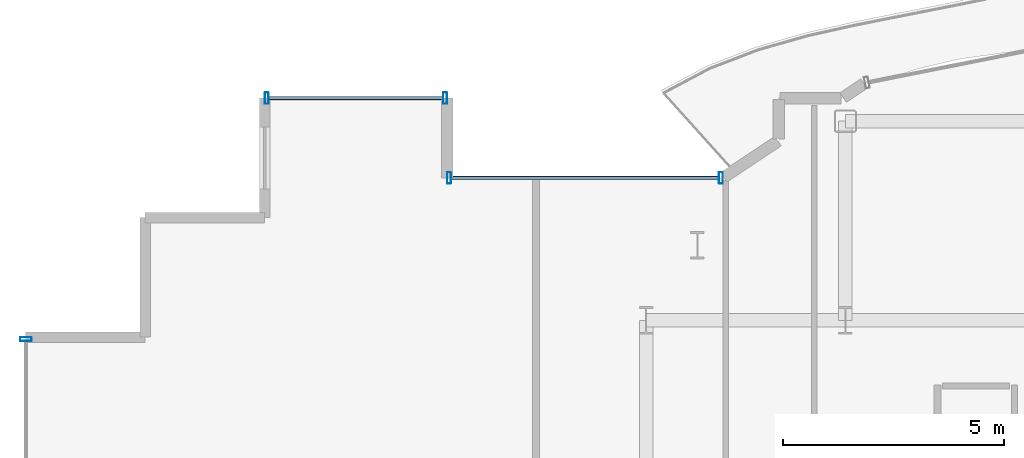
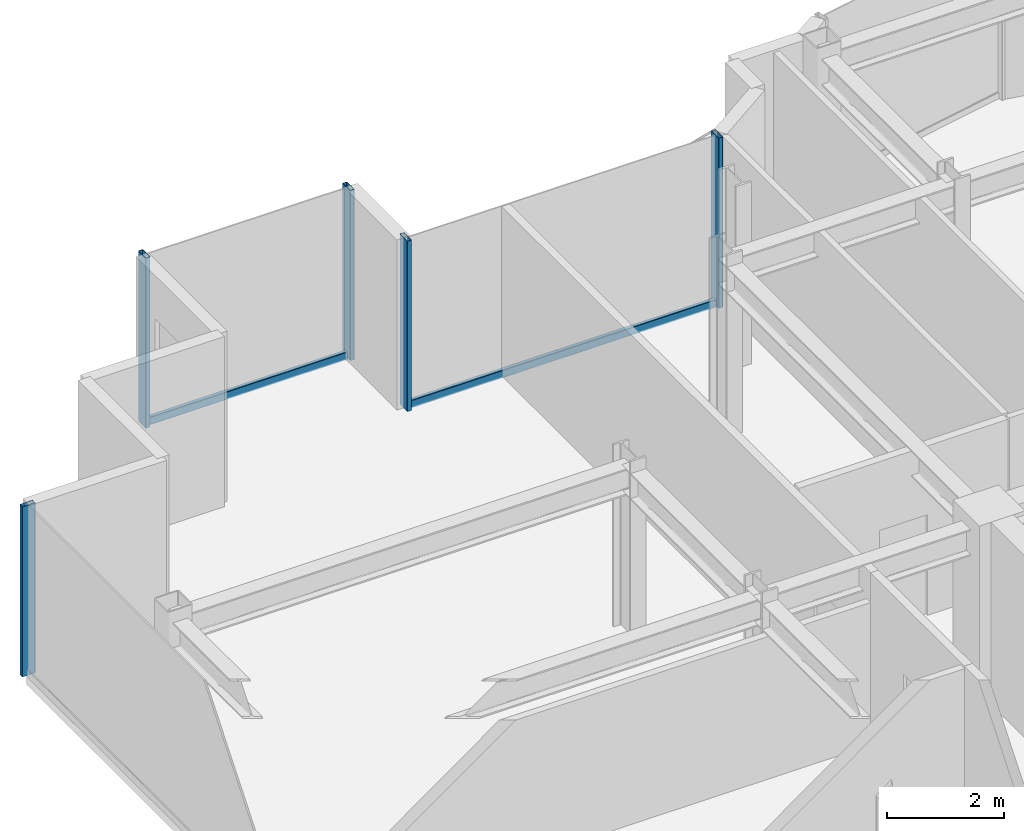
# One storey, part 9 of 18: 7 members, 3 elements without a shape of their own.
"""IFC4 building model written with IfcOpenShell, lengths in metres."""

import ifcopenshell
import ifcopenshell.guid

model = None  # the IFC model being written
_history = None  # IfcOwnerHistory: only IFC2X3 demands one
_inside = {}  # id of a spatial element -> (the spatial element, [elements in it])
_under = {}  # id of a project, library or spatial element -> (it, [spatial elements below it])
_declared = {}  # id of a project -> (the project, [libraries it declares])
_typed = {}  # id of a type object -> (the type object, [elements of that type])
_made_of = {}  # id of a material, layer set ... -> (it, [elements and type objects made of it])


def new_model(schema):
    """Start an empty IFC model of exactly this schema.

    Asked for "IFC4X3", IfcOpenShell would pick the latest addendum, in which some entities
    have other attributes; the version numbers below select the first issue.
    IFC2X3 requires an IfcOwnerHistory on every rooted entity: one is made here for all.
    """
    global model, _history
    if schema == "IFC4X3":
        model = ifcopenshell.file(schema_version=(4, 3, 0, 0))
    else:
        model = ifcopenshell.file(schema=schema)
    _inside.clear()
    _under.clear()
    _declared.clear()
    _typed.clear()
    _made_of.clear()
    _history = None
    if model.schema == "IFC2X3":
        org = make("IfcOrganization", Name="unknown")
        user = make(
            "IfcPersonAndOrganization",
            ThePerson=make("IfcPerson", FamilyName="unknown"),
            TheOrganization=org,
        )
        app = make(
            "IfcApplication",
            ApplicationDeveloper=org,
            Version="unknown",
            ApplicationFullName="unknown",
            ApplicationIdentifier="unknown",
        )
        _history = make(
            "IfcOwnerHistory",
            OwningUser=user,
            OwningApplication=app,
            ChangeAction="ADDED",
            CreationDate=0,
        )
    return model


def make(cls, **values):
    """One entity of the class cls with the attributes given. An attribute that is None is left unset."""
    return model.create_entity(
        cls, **{name: value for name, value in values.items() if value is not None}
    )


def rooted(cls, **values):
    """An entity with a GlobalId (a new one), such as an element, a storey or a relation."""
    return make(cls, GlobalId=ifcopenshell.guid.new(), OwnerHistory=_history, **values)


def si_unit(unit_type, name, prefix=None):
    """IfcSIUnit, for example si_unit("LENGTHUNIT", "METRE", prefix="MILLI")."""
    return make("IfcSIUnit", UnitType=unit_type, Prefix=prefix, Name=name)


def assignment(units):
    """IfcUnitAssignment: the units of a project."""
    return None if units is None else make("IfcUnitAssignment", Units=units)


def point(xyz):
    """IfcCartesianPoint."""
    return None if xyz is None else make("IfcCartesianPoint", Coordinates=xyz)


def direction(xyz):
    """IfcDirection."""
    return None if xyz is None else make("IfcDirection", DirectionRatios=xyz)


def frame(location, z_axis=None, x_axis=None):
    """IfcAxis2Placement3D, a coordinate frame: its origin and axes. An axis left out is left unset."""
    return make(
        "IfcAxis2Placement3D",
        Location=point(location),
        Axis=direction(z_axis),
        RefDirection=direction(x_axis),
    )


def frame_2d(location, x_axis=None):
    """IfcAxis2Placement2D, a coordinate frame in the plane: its origin and x axis."""
    return make(
        "IfcAxis2Placement2D", Location=point(location), RefDirection=direction(x_axis)
    )


def origin():
    """The frame at (0, 0, 0) with its axes left unset."""
    return frame((0.0, 0.0, 0.0))


def origin_2d():
    """The frame at (0, 0) in the plane with its x axis left unset."""
    return frame_2d((0.0, 0.0))


def place(relative_to, where):
    """IfcLocalPlacement: puts the frame where relative to a parent placement (None: the world)."""
    return make(
        "IfcLocalPlacement", PlacementRelTo=relative_to, RelativePlacement=where
    )


def context(
    kind, dimensions, precision=None, world=None, true_north=None, identifier=None
):
    """IfcGeometricRepresentationContext, for example the 3D "Model" context."""
    return make(
        "IfcGeometricRepresentationContext",
        ContextIdentifier=identifier,
        ContextType=kind,
        CoordinateSpaceDimension=dimensions,
        Precision=precision,
        WorldCoordinateSystem=world,
        TrueNorth=true_north,
    )


def subcontext(parent, identifier, kind, view, scale=None):
    """IfcGeometricRepresentationSubContext, for example "Body" below "Model"."""
    return make(
        "IfcGeometricRepresentationSubContext",
        ContextIdentifier=identifier,
        ContextType=kind,
        ParentContext=parent,
        TargetScale=scale,
        TargetView=view,
    )


def project(units=None, contexts=None):
    """IfcProject with its units and contexts."""
    return rooted(
        "IfcProject",
        Name="project",
        RepresentationContexts=contexts,
        UnitsInContext=assignment(units),
    )


def spatial(cls, under=None, at=None, **own):
    """A site, building, storey or space (cls), placed at a placement, below another one or the project."""
    s = rooted(cls, ObjectPlacement=at, **own)
    if under is not None:
        _under.setdefault(under.id(), (under, []))[1].append(s)
    return s


def profile(cls, at=None, kind="AREA", **sizes):
    """A parametric profile (cls). Its sizes go by their IFC names, for example OverallWidth=200.0."""
    return make(cls, ProfileType=kind, Position=at, **sizes)


def hollow_rectangle(**sizes):
    """IfcRectangleHollowProfileDef."""
    return profile("IfcRectangleHollowProfileDef", **sizes)


def extrude(swept, where, along, depth):
    """IfcExtrudedAreaSolid: the profile swept, set in the frame where, extruded along a direction by depth."""
    return make(
        "IfcExtrudedAreaSolid",
        SweptArea=swept,
        Position=where,
        ExtrudedDirection=direction(along),
        Depth=depth,
    )


def shape(context_of_items, identifier, shape_type, items):
    """IfcShapeRepresentation: the items that make up one representation, for example the "Body"."""
    return make(
        "IfcShapeRepresentation",
        ContextOfItems=context_of_items,
        RepresentationIdentifier=identifier,
        RepresentationType=shape_type,
        Items=items,
    )


def source(mapping_origin, context_of_items, identifier, shape_type, items):
    """IfcRepresentationMap: a shape defined once, which mapped items show again and again."""
    return make(
        "IfcRepresentationMap",
        MappingOrigin=mapping_origin,
        MappedRepresentation=shape(context_of_items, identifier, shape_type, items),
    )


def transform(
    local_origin,
    x_axis=None,
    y_axis=None,
    z_axis=None,
    scale=None,
    scale2=None,
    scale3=None,
    uniform=True,
):
    """IfcCartesianTransformationOperator3D, or its non-uniform kind. x_axis, y_axis, z_axis: its Axis1, 2, 3."""
    if uniform:
        return make(
            "IfcCartesianTransformationOperator3D",
            Axis1=direction(x_axis),
            Axis2=direction(y_axis),
            LocalOrigin=point(local_origin),
            Scale=scale,
            Axis3=direction(z_axis),
        )
    return make(
        "IfcCartesianTransformationOperator3DnonUniform",
        Axis1=direction(x_axis),
        Axis2=direction(y_axis),
        LocalOrigin=point(local_origin),
        Scale=scale,
        Axis3=direction(z_axis),
        Scale2=scale2,
        Scale3=scale3,
    )


def mapped(mapping_source, mapping_target):
    """IfcMappedItem: shows the shape of a source again, moved by a transform."""
    return make(
        "IfcMappedItem", MappingSource=mapping_source, MappingTarget=mapping_target
    )


def material(Name=None, Category=None):
    """IfcMaterial."""
    return make("IfcMaterial", Name=Name, Category=Category)


def layer(
    of_material, thickness, ventilated=None, Name=None, Category=None, Priority=None
):
    """IfcMaterialLayer: one layer of a wall or slab, of a material (None: an air gap)."""
    return make(
        "IfcMaterialLayer",
        Material=of_material,
        LayerThickness=thickness,
        IsVentilated=ventilated,
        Name=Name,
        Category=Category,
        Priority=Priority,
    )


def layer_set(layers, Name=None):
    """IfcMaterialLayerSet."""
    return make("IfcMaterialLayerSet", MaterialLayers=layers, LayerSetName=Name)


def material_profile(
    of_material, cross_section, Name=None, Category=None, Priority=None
):
    """IfcMaterialProfile: a cross section and its material."""
    return make(
        "IfcMaterialProfile",
        Name=Name,
        Material=of_material,
        Profile=cross_section,
        Priority=Priority,
        Category=Category,
    )


def profile_set(profiles, Name=None, composite=None):
    """IfcMaterialProfileSet."""
    return make(
        "IfcMaterialProfileSet",
        Name=Name,
        MaterialProfiles=profiles,
        CompositeProfile=composite,
    )


def made_of(thing, what):
    """Note that an element or type object is made of a material, layer set ...; save() writes the relation."""
    if what is not None:
        _made_of.setdefault(what.id(), (what, []))[1].append(thing)
    return thing


def type_object(cls, material=None, **own):
    """A type object (cls), such as IfcWallType, which elements share."""
    return made_of(rooted(cls, **own), material)


def element(
    cls,
    number,
    at=None,
    inside=None,
    cuts=None,
    type_object=None,
    material=None,
    context=None,
    identifier="Body",
    shape_type=None,
    held_by="IfcProductDefinitionShape",
    body=None,
    shapes=None,
    **own,
):
    """One element of the class cls, such as IfcWall. Its Tag is "e" and its number.

    at: its placement. inside: the storey or other place that contains it. cuts: it is an
    opening in that element (IfcRelVoidsElement). A single representation is given by context,
    identifier, shape_type and body (its items); several are given by shapes. held_by: the class
    of the entity that holds the representations. save() writes the other relations.
    """
    e = rooted(cls, Tag="e%d" % number, ObjectPlacement=at, **own)
    if body is not None:
        shapes = [shape(context, identifier, shape_type, body)]
    if shapes is not None:
        e.Representation = make(held_by, Representations=shapes)
    if inside is not None:
        _inside.setdefault(inside.id(), (inside, []))[1].append(e)
    if cuts is not None:
        rooted(
            "IfcRelVoidsElement", RelatingBuildingElement=cuts, RelatedOpeningElement=e
        )
    if type_object is not None:
        _typed.setdefault(type_object.id(), (type_object, []))[1].append(e)
    return made_of(e, material)


def aggregate(whole, parts):
    """IfcRelAggregates: a whole, such as a stair, and the parts it consists of."""
    return rooted("IfcRelAggregates", RelatingObject=whole, RelatedObjects=parts)


def save(model, path):
    """Write the relations noted so far, then the file.

    IfcRelAggregates (storeys below a building ...), IfcRelContainedInSpatialStructure (elements
    in a storey), IfcRelDefinesByType, IfcRelAssociatesMaterial and IfcRelDeclares: one each for
    every whole, place, type object, material and project.
    """
    for whole, parts in _under.values():
        aggregate(whole, parts)
    for where, things in _inside.values():
        rooted(
            "IfcRelContainedInSpatialStructure",
            RelatedElements=things,
            RelatingStructure=where,
        )
    for kind, things in _typed.values():
        rooted("IfcRelDefinesByType", RelatedObjects=things, RelatingType=kind)
    for what, things in _made_of.values():
        rooted("IfcRelAssociatesMaterial", RelatedObjects=things, RelatingMaterial=what)
    for by, libraries in _declared.values():
        rooted("IfcRelDeclares", RelatingContext=by, RelatedDefinitions=libraries)
    model.write(path)


model = new_model("IFC4")

# Units and contexts
model_context = context("Model", 3, precision=1e-05, world=origin(), true_north=direction((0.0, 1.0)))
body_context = subcontext(model_context, "Body", "Model", "MODEL_VIEW")
ifc_project = project(units=[si_unit("LENGTHUNIT", "METRE"), si_unit("AREAUNIT", "SQUARE_METRE"), si_unit("VOLUMEUNIT", "CUBIC_METRE"), si_unit("PLANEANGLEUNIT", "RADIAN"), si_unit("MASSUNIT", "GRAM", prefix="KILO")], contexts=[model_context])

# Site, building, storey
site_placement = place(None, origin())
site = spatial("IfcSite", under=ifc_project, at=site_placement, CompositionType="ELEMENT")
building_placement = place(site_placement, origin())
building = spatial("IfcBuilding", under=site, at=building_placement, Name="Nefas-Gora Pilgrimage Tower", CompositionType="ELEMENT")
storey_placement = place(building_placement, frame((0.0, 0.0, 302.60009765625)))
storey = spatial("IfcBuildingStorey", under=building, at=storey_placement, Name="L76", CompositionType="ELEMENT", Elevation=302.60009765625)

# Curtain wall, members
ifc_material_1 = material(Name="Dark ceramic-fritted solar-control aluminium-glass curtain wall", Category="aluminium")
ifc_layer_1 = layer(ifc_material_1, 0.219970703125)
ifc_layer_set_1 = layer_set([ifc_layer_1], Name="Dark ceramic-fritted solar-control aluminium-glass curtain wall")
curtain_wall_type_1 = type_object("IfcCurtainWallType", Name="CW-SYS-5", PredefinedType="NOTDEFINED", material=ifc_layer_set_1)
curtain_wall_1_placement = place(storey_placement, origin())
curtain_wall_1 = element("IfcCurtainWall", 1, at=curtain_wall_1_placement, inside=storey, type_object=curtain_wall_type_1, Name="L76 Unitised Curtain Wall CW5", PredefinedType="NOTDEFINED")
ifc_material_2 = material(Name="Anodised architectural aluminium", Category="aluminium")
ifc_material_profile_1 = material_profile(ifc_material_2, hollow_rectangle(XDim=0.080078125, YDim=0.159912109375, WallThickness=0.00439453125, InnerFilletRadius=0.00439453125, OuterFilletRadius=0.009033203125, at=origin_2d()), Name="ALU TRANSOM 80x160")
ifc_profile_set_1 = profile_set([ifc_material_profile_1], Name="Anodised architectural aluminium")
member_type_1 = type_object("IfcMemberType", Name="CWM-TRN-5", PredefinedType="USERDEFINED", material=ifc_profile_set_1)
shared_shape_1 = source(origin(), body_context, "Body", "SweptSolid", [
    extrude(hollow_rectangle(XDim=0.080078125, YDim=0.159912109375, WallThickness=0.00439453125, InnerFilletRadius=0.00439453125, OuterFilletRadius=0.009033203125, at=origin_2d()), origin(), (0.0, 0.0, 1.0), 6.052001953125),
])
member_1_placement = place(storey_placement, frame((-9.60791015625, 21.219970703125, 0.0498046875), z_axis=(-1.0, 0.0, 0.0), x_axis=(0.0, -1.0, 0.0)))
member_1 = element("IfcMember", 2, at=member_1_placement, type_object=member_type_1, Name="CW5 Spandrel Transom", ObjectType="TRANSOM", PredefinedType="USERDEFINED", context=body_context, shape_type="MappedRepresentation", body=[
    mapped(shared_shape_1, transform((0.0, 0.0, 0.0), x_axis=(1.0, 0.0, 0.0), y_axis=(0.0, 1.0, 0.0), z_axis=(0.0, 0.0, 1.0), scale=1.0)),
])
ifc_material_profile_2 = material_profile(ifc_material_2, hollow_rectangle(XDim=0.090087890625, YDim=0.260009765625, WallThickness=0.006103515625, InnerFilletRadius=0.006103515625, OuterFilletRadius=0.011962890625, at=origin_2d()), Name="ALU MULLION 90x260")
ifc_profile_set_2 = profile_set([ifc_material_profile_2], Name="Anodised architectural aluminium")
member_type_2 = type_object("IfcMemberType", Name="CWM-MUL-5", PredefinedType="MULLION", material=ifc_profile_set_2)
shared_shape_2 = source(origin(), body_context, "Body", "SweptSolid", [
    extrude(hollow_rectangle(XDim=0.090087890625, YDim=0.260009765625, WallThickness=0.006103515625, InnerFilletRadius=0.006103515625, OuterFilletRadius=0.011962890625, at=origin_2d()), origin(), (0.0, 0.0, 1.0), 3.5498046875),
])
member_2_placement = place(storey_placement, frame((-9.56298828125, 21.219970703125, 0.0), z_axis=(0.0, 0.0, 1.0), x_axis=(-1.0, 0.0, 0.0)))
member_2 = element("IfcMember", 3, at=member_2_placement, type_object=member_type_2, Name="CW5 Mullion 1", PredefinedType="MULLION", context=body_context, shape_type="MappedRepresentation", body=[
    mapped(shared_shape_2, transform((0.0, 0.0, 0.0), x_axis=(1.0, 0.0, 0.0), y_axis=(0.0, 1.0, 0.0), z_axis=(0.0, 0.0, 1.0), scale=1.0)),
])
member_3_placement = place(storey_placement, frame((-15.705078125, 21.219970703125, 0.0), z_axis=(0.0, 0.0, 1.0), x_axis=(-1.0, 0.0, 0.0)))
member_3 = element("IfcMember", 4, at=member_3_placement, type_object=member_type_2, Name="CW5 Mullion 2", PredefinedType="MULLION", context=body_context, shape_type="MappedRepresentation", body=[
    mapped(shared_shape_2, transform((0.0, 0.0, 0.0), x_axis=(1.0, 0.0, 0.0), y_axis=(0.0, 1.0, 0.0), z_axis=(0.0, 0.0, 1.0), scale=1.0)),
])
aggregate(curtain_wall_1, [member_2, member_3, member_1])

ifc_layer_2 = layer(ifc_material_1, 0.219970703125)
ifc_layer_set_2 = layer_set([ifc_layer_2], Name="Dark ceramic-fritted solar-control aluminium-glass curtain wall")
curtain_wall_type_2 = type_object("IfcCurtainWallType", Name="CW-SYS-4", PredefinedType="NOTDEFINED", material=ifc_layer_set_2)
curtain_wall_2_placement = place(storey_placement, origin())
curtain_wall_2 = element("IfcCurtainWall", 5, at=curtain_wall_2_placement, inside=storey, type_object=curtain_wall_type_2, Name="L76 Unitised Curtain Wall CW4", PredefinedType="NOTDEFINED")
ifc_material_profile_3 = material_profile(ifc_material_2, hollow_rectangle(XDim=0.090087890625, YDim=0.260009765625, WallThickness=0.006103515625, InnerFilletRadius=0.006103515625, OuterFilletRadius=0.011962890625, at=origin_2d()), Name="ALU MULLION 90x260")
ifc_profile_set_3 = profile_set([ifc_material_profile_3], Name="Anodised architectural aluminium")
member_type_3 = type_object("IfcMemberType", Name="CWM-MUL-4", PredefinedType="MULLION", material=ifc_profile_set_3)
shared_shape_3 = source(origin(), body_context, "Body", "SweptSolid", [
    extrude(hollow_rectangle(XDim=0.090087890625, YDim=0.260009765625, WallThickness=0.006103515625, InnerFilletRadius=0.006103515625, OuterFilletRadius=0.011962890625, at=origin_2d()), origin(), (0.0, 0.0, 1.0), 3.5498046875),
])
member_4_placement = place(storey_placement, frame((-15.794921875, 23.02001953125, 0.0), z_axis=(0.0, 0.0, 1.0), x_axis=(-1.0, 0.0, 0.0)))
member_4 = element("IfcMember", 6, at=member_4_placement, type_object=member_type_3, Name="CW4 Mullion 1", PredefinedType="MULLION", context=body_context, shape_type="MappedRepresentation", body=[
    mapped(shared_shape_3, transform((0.0, 0.0, 0.0), x_axis=(1.0, 0.0, 0.0), y_axis=(0.0, 1.0, 0.0), z_axis=(0.0, 0.0, 1.0), scale=1.0)),
])
member_5_placement = place(storey_placement, frame((-19.824951171875, 23.02001953125, 0.0), z_axis=(0.0, 0.0, 1.0), x_axis=(-1.0, 0.0, 0.0)))
member_5 = element("IfcMember", 7, at=member_5_placement, type_object=member_type_3, Name="CW4 Mullion 2", PredefinedType="MULLION", context=body_context, shape_type="MappedRepresentation", body=[
    mapped(shared_shape_3, transform((0.0, 0.0, 0.0), x_axis=(1.0, 0.0, 0.0), y_axis=(0.0, 1.0, 0.0), z_axis=(0.0, 0.0, 1.0), scale=1.0)),
])

# Curtain wall, member
curtain_wall_3_placement = place(storey_placement, origin())
curtain_wall_3 = element("IfcCurtainWall", 8, at=curtain_wall_3_placement, inside=storey, type_object=curtain_wall_type_2, Name="L76 Unitised Curtain Wall CW4", PredefinedType="NOTDEFINED")
member_6_placement = place(storey_placement, frame((-25.27001953125, 17.574951171875, 0.0), z_axis=(0.0, 0.0, 1.0), x_axis=(0.0, -1.0, 0.0)))
member_6 = element("IfcMember", 9, at=member_6_placement, type_object=member_type_3, Name="CW4 Mullion 1", PredefinedType="MULLION", context=body_context, shape_type="MappedRepresentation", body=[
    mapped(shared_shape_3, transform((0.0, 0.0, 0.0), x_axis=(1.0, 0.0, 0.0), y_axis=(0.0, 1.0, 0.0), z_axis=(0.0, 0.0, 1.0), scale=1.0)),
])
aggregate(curtain_wall_3, [member_6])

# Member
ifc_material_profile_4 = material_profile(ifc_material_2, hollow_rectangle(XDim=0.080078125, YDim=0.159912109375, WallThickness=0.00439453125, InnerFilletRadius=0.00439453125, OuterFilletRadius=0.009033203125, at=origin_2d()), Name="ALU TRANSOM 80x160")
ifc_profile_set_4 = profile_set([ifc_material_profile_4], Name="Anodised architectural aluminium")
member_type_4 = type_object("IfcMemberType", Name="CWM-TRN-4", PredefinedType="USERDEFINED", material=ifc_profile_set_4)
shared_shape_4 = source(origin(), body_context, "Body", "SweptSolid", [
    extrude(hollow_rectangle(XDim=0.080078125, YDim=0.159912109375, WallThickness=0.00439453125, InnerFilletRadius=0.00439453125, OuterFilletRadius=0.009033203125, at=origin_2d()), origin(), (0.0, 0.0, 1.0), 3.93994140625),
])
member_7_placement = place(storey_placement, frame((-15.840087890625, 23.02001953125, 0.0498046875), z_axis=(-1.0, 0.0, 0.0), x_axis=(0.0, -1.0, 0.0)))
member_7 = element("IfcMember", 10, at=member_7_placement, type_object=member_type_4, Name="CW4 Spandrel Transom", ObjectType="TRANSOM", PredefinedType="USERDEFINED", context=body_context, shape_type="MappedRepresentation", body=[
    mapped(shared_shape_4, transform((0.0, 0.0, 0.0), x_axis=(1.0, 0.0, 0.0), y_axis=(0.0, 1.0, 0.0), z_axis=(0.0, 0.0, 1.0), scale=1.0)),
])

aggregate(curtain_wall_2, [member_4, member_5, member_7])

save(model, "model.ifc")
